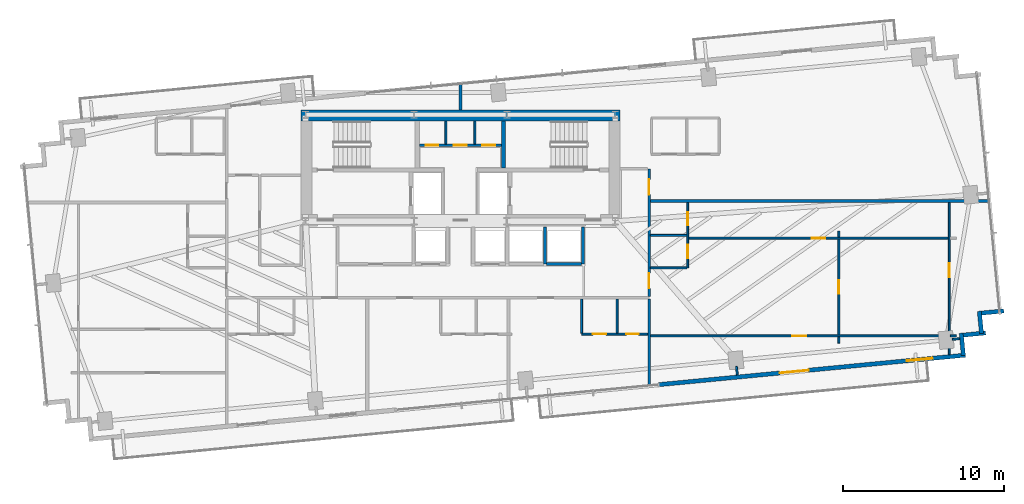
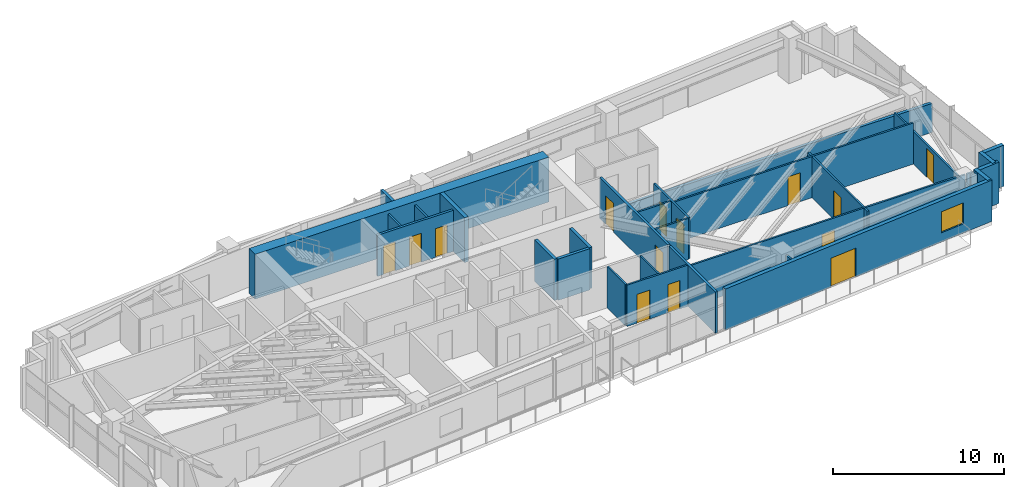
# One storey, part 23 of 27: 32 walls, 14 doors, 1 window, 15 openings.
"""IFC4 building model written with IfcOpenShell, lengths in metres."""

from ifc_helpers import new_model, si_unit, direction, frame, frame_2d, origin, place, context, subcontext, project, spatial, rectangle, extrude, source, transform, mapped, material, layer, layer_set, type_object, type_shapes, element, fill, save


model = new_model("IFC4")

# Units and contexts
model_context = context("Model", 3, precision=1e-05, world=origin(), true_north=direction((0.0, 1.0)))
body_context = subcontext(model_context, "Body", "Model", "MODEL_VIEW")
ifc_project = project(units=[si_unit("LENGTHUNIT", "METRE"), si_unit("AREAUNIT", "SQUARE_METRE"), si_unit("VOLUMEUNIT", "CUBIC_METRE"), si_unit("PLANEANGLEUNIT", "RADIAN"), si_unit("MASSUNIT", "GRAM", prefix="KILO")], contexts=[model_context])

# Site, building, storey
site_placement = place(None, origin())
site = spatial("IfcSite", under=ifc_project, at=site_placement, CompositionType="ELEMENT")
building_placement = place(site_placement, origin())
building = spatial("IfcBuilding", under=site, at=building_placement, Name="Astriad Promenade Condominiums", CompositionType="ELEMENT")
storey_placement = place(building_placement, frame((0.0, 0.0, 109.800048828125)))
storey = spatial("IfcBuildingStorey", under=building, at=storey_placement, Name="L31", CompositionType="ELEMENT", Elevation=109.800048828125)

# Walls
ifc_material_1 = material(Name="Concrete C60/75", Category="concrete")
ifc_layer_1 = layer(ifc_material_1, 0.699951171875)
ifc_layer_set_1 = layer_set([ifc_layer_1], Name="Concrete C60/75")
wall_type_1 = type_object("IfcWallType", Name="CW-SHEAR-700", PredefinedType="SHEAR", material=ifc_layer_set_1)
wall_1_placement = place(storey_placement, frame((26.10009765625, 23.949951171875, 0.0), z_axis=(0.0, 0.0, 1.0), x_axis=(1.0, 0.0, 0.0)))
element("IfcWall", 1, at=wall_1_placement, inside=storey, type_object=wall_type_1, Name="CW-CORE-N-L31", PredefinedType="SHEAR", context=body_context, shape_type="SweptSolid", body=[
    extrude(rectangle(XDim=19.7998046875, YDim=0.699951171875, at=frame_2d((9.89990234375, 0.0))), origin(), (0.0, 0.0, 1.0), 3.199951171875),
])
ifc_material_2 = material(Name="Concrete C50/60", Category="concrete")
ifc_layer_2 = layer(ifc_material_2, 0.25)
ifc_layer_set_2 = layer_set([ifc_layer_2], Name="Concrete C50/60")
wall_type_2 = type_object("IfcWallType", Name="WALL-CORE-INT-250", PredefinedType="SOLIDWALL", material=ifc_layer_set_2)
wall_2_placement = place(storey_placement, frame((38.675048828125, 20.701904296875, 0.0), z_axis=(0.0, 0.0, 1.0), x_axis=(0.0, 1.0, 0.0)))
element("IfcWall", 2, at=wall_2_placement, inside=storey, type_object=wall_type_2, Name="CW-ST2-W-L31", PredefinedType="SOLIDWALL", context=body_context, shape_type="SweptSolid", body=[
    extrude(rectangle(XDim=2.89599609375, YDim=0.25, at=frame_2d((1.447998046875, 0.0))), origin(), (0.0, 0.0, 1.0), 3.199951171875),
])

# Wall, openings, doors
ifc_material_3 = material(Name="Fire-Rated Gypsum Partition")
ifc_layer_3 = layer(ifc_material_3, 0.159912109375)
ifc_layer_set_3 = layer_set([ifc_layer_3], Name="Fire-Rated Gypsum Partition")
wall_type_3 = type_object("IfcWallType", Name="WALL-CORR-160", PredefinedType="PARTITIONING", material=ifc_layer_set_3)
wall_3_placement = place(storey_placement, frame((33.451904296875, 22.10009765625, 0.0), z_axis=(0.0, 0.0, 1.0), x_axis=(1.0, 0.0, 0.0)))
wall_3 = element("IfcWall", 3, at=wall_3_placement, inside=storey, type_object=wall_type_3, Name="CW-AUX-N-L31", PredefinedType="PARTITIONING", context=body_context, shape_type="SweptSolid", body=[
    extrude(rectangle(XDim=5.09619140625, YDim=0.159912109375, at=frame_2d((2.548095703125, 0.0))), origin(), (0.0, 0.0, 1.0), 2.93994140625),
])
opening_1_placement = place(wall_3_placement, frame((0.387939453125, 0.0, 0.0)))
opening_1 = element("IfcOpeningElement", 4, at=opening_1_placement, cuts=wall_3, Name="Opening FD60-SV-080", PredefinedType="OPENING", context=body_context, shape_type="SweptSolid", body=[
    extrude(rectangle(XDim=0.800048828125, YDim=2.050048828125, at=frame_2d((0.39990234375, 1.02490234375))), frame((0.0, 0.08984375, 0.0), z_axis=(0.0, -1.0, 0.0), x_axis=(1.0, 0.0, 0.0)), (0.0, 0.0, 1.0), 0.179931640625),
])
opening_2_placement = place(wall_3_placement, frame((2.14794921875, 0.0, 0.0)))
opening_2 = element("IfcOpeningElement", 5, at=opening_2_placement, cuts=wall_3, Name="Opening FD60-SV-080", PredefinedType="OPENING", context=body_context, shape_type="SweptSolid", body=[
    extrude(rectangle(XDim=0.800048828125, YDim=2.050048828125, at=frame_2d((0.39990234375, 1.02490234375))), frame((0.0, 0.08984375, 0.0), z_axis=(0.0, -1.0, 0.0), x_axis=(1.0, 0.0, 0.0)), (0.0, 0.0, 1.0), 0.179931640625),
])
opening_3_placement = place(wall_3_placement, frame((3.907958984375, 0.0, 0.0)))
opening_3 = element("IfcOpeningElement", 6, at=opening_3_placement, cuts=wall_3, Name="Opening FD60-SV-080", PredefinedType="OPENING", context=body_context, shape_type="SweptSolid", body=[
    extrude(rectangle(XDim=0.800048828125, YDim=2.050048828125, at=frame_2d((0.39990234375, 1.02490234375))), frame((0.0, 0.08984375, 0.0), z_axis=(0.0, -1.0, 0.0), x_axis=(1.0, 0.0, 0.0)), (0.0, 0.0, 1.0), 0.179931640625),
])
ifc_material_4 = material(Name="Fire-Rated Riser Closet Door")
door_type_1 = type_object("IfcDoorType", Name="FD60-SV-080", OperationType="NOTDEFINED", PredefinedType="DOOR", material=ifc_material_4)
shared_shape_1 = source(origin(), body_context, "Body", "SweptSolid", [
    extrude(rectangle(XDim=0.800048828125, YDim=2.050048828125, at=frame_2d((0.39990234375, 1.02490234375))), frame((0.0, 0.02490234375, 0.0), z_axis=(0.0, -1.0, 0.0), x_axis=(1.0, 0.0, 0.0)), (0.0, 0.0, 1.0), 0.050048828125),
])
type_shapes(door_type_1, [shared_shape_1])
door_1_placement = place(opening_1_placement, origin())
door_1 = element("IfcDoor", 7, at=door_1_placement, inside=storey, type_object=door_type_1, Name="D-AUX1-L31", OperationType="SINGLE_SWING_RIGHT", OverallHeight=2.050048828125, OverallWidth=0.800048828125, PredefinedType="DOOR", context=body_context, shape_type="MappedRepresentation", body=[
    mapped(shared_shape_1, transform((0.0, 0.0, 0.0), scale=1.0)),
])
fill(opening_1, door_1)
door_2_placement = place(opening_2_placement, origin())
door_2 = element("IfcDoor", 8, at=door_2_placement, inside=storey, type_object=door_type_1, Name="D-AUX2-L31", OperationType="SINGLE_SWING_LEFT", OverallHeight=2.050048828125, OverallWidth=0.800048828125, PredefinedType="DOOR", context=body_context, shape_type="MappedRepresentation", body=[
    mapped(shared_shape_1, transform((0.0, 0.0, 0.0), scale=1.0)),
])
fill(opening_2, door_2)
door_3_placement = place(opening_3_placement, origin())
door_3 = element("IfcDoor", 9, at=door_3_placement, inside=storey, type_object=door_type_1, Name="D-AUX3-L31", OperationType="SINGLE_SWING_RIGHT", OverallHeight=2.050048828125, OverallWidth=0.800048828125, PredefinedType="DOOR", context=body_context, shape_type="MappedRepresentation", body=[
    mapped(shared_shape_1, transform((0.0, 0.0, 0.0), scale=1.0)),
])
fill(opening_3, door_3)

# Wall
wall_4_placement = place(storey_placement, frame((47.699951171875, 7.152587890625, 0.0), z_axis=(0.0, 0.0, 1.0), x_axis=(0.0, 1.0, 0.0)))
element("IfcWall", 10, at=wall_4_placement, inside=storey, type_object=wall_type_3, Name="PT-COR-E-L31", PredefinedType="PARTITIONING", context=body_context, shape_type="SweptSolid", body=[
    extrude(rectangle(XDim=5.41552734375, YDim=0.159912109375, at=frame_2d((2.707763671875, 0.0))), origin(), (0.0, 0.0, 1.0), 2.93994140625),
])

# Wall, openings, doors
wall_5_placement = place(storey_placement, frame((47.699951171875, 12.73193359375, 0.0), z_axis=(0.0, 0.0, 1.0), x_axis=(0.0, 1.0, 0.0)))
wall_5 = element("IfcWall", 11, at=wall_5_placement, inside=storey, type_object=wall_type_3, Name="PT-COR-E-L31-S2", PredefinedType="PARTITIONING", context=body_context, shape_type="SweptSolid", body=[
    extrude(rectangle(XDim=7.91796875, YDim=0.159912109375, at=frame_2d((3.958984375, 0.0))), origin(), (0.0, 0.0, 1.0), 2.93994140625),
])
opening_4_placement = place(wall_5_placement, frame((0.492919921875, 0.0, 0.0)))
opening_4 = element("IfcOpeningElement", 12, at=opening_4_placement, cuts=wall_5, Name="Opening FD60-APT-095", PredefinedType="OPENING", context=body_context, shape_type="SweptSolid", body=[
    extrude(rectangle(XDim=0.949951171875, YDim=2.06005859375, at=frame_2d((0.47509765625, 1.030029296875))), frame((0.0, 0.08984375, 0.0), z_axis=(0.0, -1.0, 0.0), x_axis=(1.0, 0.0, 0.0)), (0.0, 0.0, 1.0), 0.179931640625),
])
opening_5_placement = place(wall_5_placement, frame((6.31103515625, 0.0, 0.0)))
opening_5 = element("IfcOpeningElement", 13, at=opening_5_placement, cuts=wall_5, Name="Opening FD60-APT-095", PredefinedType="OPENING", context=body_context, shape_type="SweptSolid", body=[
    extrude(rectangle(XDim=0.949951171875, YDim=2.06005859375, at=frame_2d((0.47509765625, 1.030029296875))), frame((0.0, 0.08984375, 0.0), z_axis=(0.0, -1.0, 0.0), x_axis=(1.0, 0.0, 0.0)), (0.0, 0.0, 1.0), 0.179931640625),
])
ifc_material_5 = material(Name="Solid-Core Acoustic Timber Residence Entry Door", Category="wood")
door_type_2 = type_object("IfcDoorType", Name="FD60-APT-095", OperationType="NOTDEFINED", PredefinedType="DOOR", material=ifc_material_5)
shared_shape_2 = source(origin(), body_context, "Body", "SweptSolid", [
    extrude(rectangle(XDim=0.949951171875, YDim=2.06005859375, at=frame_2d((0.47509765625, 1.030029296875))), frame((0.0, 0.02490234375, 0.0), z_axis=(0.0, -1.0, 0.0), x_axis=(1.0, 0.0, 0.0)), (0.0, 0.0, 1.0), 0.050048828125),
])
type_shapes(door_type_2, [shared_shape_2])
door_4_placement = place(opening_4_placement, origin())
door_4 = element("IfcDoor", 14, at=door_4_placement, inside=storey, type_object=door_type_2, Name="D-ENT-L31-E1", OperationType="SINGLE_SWING_RIGHT", OverallHeight=2.06005859375, OverallWidth=0.949951171875, PredefinedType="DOOR", context=body_context, shape_type="MappedRepresentation", body=[
    mapped(shared_shape_2, transform((0.0, 0.0, 0.0), scale=1.0)),
])
fill(opening_4, door_4)
door_5_placement = place(opening_5_placement, origin())
door_5 = element("IfcDoor", 15, at=door_5_placement, inside=storey, type_object=door_type_2, Name="D-ENT-L31-E2", OperationType="SINGLE_SWING_LEFT", OverallHeight=2.06005859375, OverallWidth=0.949951171875, PredefinedType="DOOR", context=body_context, shape_type="MappedRepresentation", body=[
    mapped(shared_shape_2, transform((0.0, 0.0, 0.0), scale=1.0)),
])
fill(opening_5, door_5)

# Walls
ifc_material_6 = material(Name="Acoustic Double-Stud Gypsum Partition")
ifc_layer_4 = layer(ifc_material_6, 0.199951171875)
ifc_layer_set_4 = layer_set([ifc_layer_4], Name="Acoustic Double-Stud Gypsum Partition")
wall_type_4 = type_object("IfcWallType", Name="WALL-DEMISING-200", PredefinedType="PARTITIONING", material=ifc_layer_set_4)
wall_6_placement = place(storey_placement, frame((36.0, 24.302001953125, 0.0), z_axis=(0.0, 0.0, 1.0), x_axis=(0.0, 1.0, 0.0)))
element("IfcWall", 16, at=wall_6_placement, inside=storey, type_object=wall_type_4, Name="PT-NC-MID-L31", PredefinedType="PARTITIONING", context=body_context, shape_type="SweptSolid", body=[
    extrude(rectangle(XDim=1.65576171875, YDim=0.199951171875, at=frame_2d((0.827880859375, 0.0))), origin(), (0.0, 0.0, 1.0), 2.93994140625),
])
wall_7_placement = place(storey_placement, frame((47.781982421875, 18.64990234375, 0.0), z_axis=(0.0, 0.0, 1.0), x_axis=(1.0, 0.0, 0.0)))
element("IfcWall", 17, at=wall_7_placement, inside=storey, type_object=wall_type_4, Name="PT-DEM-EE-L31", PredefinedType="PARTITIONING", context=body_context, shape_type="SweptSolid", body=[
    extrude(rectangle(XDim=21.04931640625, YDim=0.199951171875, at=frame_2d((10.524658203125, 0.0))), origin(), (0.0, 0.0, 1.0), 2.06298828125),
])
ifc_material_7 = material(Name="Precast concrete C50/60", Category="concrete")
ifc_layer_5 = layer(ifc_material_7, 0.260009765625)
ifc_layer_set_5 = layer_set([ifc_layer_5], Name="Precast concrete C50/60")
wall_type_5 = type_object("IfcWallType", Name="WALL-EXT-TWR-260", PredefinedType="STANDARD", material=ifc_layer_set_5)
for number, where, z_axis, x_axis, name in (
    (18, (69.698486328125, 11.83251953125, 0.0), (0.0, 0.0, 1.0), (-0.99540614245, -0.095742423056, 0.0), "W-SER-L31-14"),
    (19, (68.18310546875, 11.817138671875, 0.0), (0.0, 0.0, 1.0), (0.095915846097, -0.995389446633, 0.0), "W-SER-L31-15"),
):
    element("IfcWall", number, at=place(storey_placement, frame(where, z_axis=z_axis, x_axis=x_axis)), inside=storey, type_object=wall_type_5, Name=name, PredefinedType="STANDARD", context=body_context, shape_type="SweptSolid", body=[
        extrude(rectangle(XDim=1.394775390625, YDim=0.260009765625, at=frame_2d((0.697265625, 0.0))), origin(), (0.0, 0.0, 1.0), 2.93994140625),
    ])
wall_8_placement = place(storey_placement, frame((68.57421875, 10.468505859375, 0.0), z_axis=(0.0, 0.0, 1.0), x_axis=(-0.99540774648, -0.095725744959, 0.0)))
element("IfcWall", 20, at=wall_8_placement, inside=storey, type_object=wall_type_5, Name="W-SER-L31-16", PredefinedType="STANDARD", context=body_context, shape_type="SweptSolid", body=[
    extrude(rectangle(XDim=1.39501953125, YDim=0.260009765625, at=frame_2d((0.697509765625, 0.0))), origin(), (0.0, 0.0, 1.0), 2.93994140625),
])
wall_9_placement = place(storey_placement, frame((67.05859375, 10.453125, 0.0), z_axis=(0.0, 0.0, 1.0), x_axis=(0.095915846097, -0.995389446633, 0.0)))
element("IfcWall", 21, at=wall_9_placement, inside=storey, type_object=wall_type_5, Name="W-SER-L31-17", PredefinedType="STANDARD", context=body_context, shape_type="SweptSolid", body=[
    extrude(rectangle(XDim=1.394775390625, YDim=0.260009765625, at=frame_2d((0.697265625, 0.0))), origin(), (0.0, 0.0, 1.0), 2.93994140625),
])

# Wall, openings, door, window
wall_10_placement = place(storey_placement, frame((67.3203125, 9.092041015625, 0.0), z_axis=(0.0, 0.0, 1.0), x_axis=(-0.995396521236, -0.095842399342, 0.0)))
wall_10 = element("IfcWall", 22, at=wall_10_placement, inside=storey, type_object=wall_type_5, Name="W-EXT-L31-S1", PredefinedType="STANDARD", context=body_context, shape_type="SweptSolid", body=[
    extrude(rectangle(XDim=19.10986328125, YDim=0.260009765625, at=frame_2d((9.554931640625, 0.0))), origin(), (0.0, 0.0, 1.0), 2.93994140625),
])
opening_6_placement = place(wall_10_placement, frame((9.77392578125, 0.0, 0.0)))
opening_6 = element("IfcOpeningElement", 23, at=opening_6_placement, cuts=wall_10, Name="Opening BD-1822-SLD", PredefinedType="OPENING", context=body_context, shape_type="SweptSolid", body=[
    extrude(rectangle(XDim=1.800048828125, YDim=2.06005859375, at=frame_2d((0.89990234375, 1.030029296875))), frame((0.0, 0.139892578125, 0.0), z_axis=(0.0, -1.0, 0.0), x_axis=(1.0, 0.0, 0.0)), (0.0, 0.0, 1.0), 0.280029296875),
])
opening_7_placement = place(wall_10_placement, frame((2.050048828125, 0.0, 0.64990234375)))
opening_7 = element("IfcOpeningElement", 24, at=opening_7_placement, cuts=wall_10, Name="Opening WIN-TWR-1620", PredefinedType="OPENING", context=body_context, shape_type="SweptSolid", body=[
    extrude(rectangle(XDim=1.60009765625, YDim=1.5, at=frame_2d((0.800048828125, 0.75))), frame((0.0, 0.139892578125, 0.0), z_axis=(0.0, -1.0, 0.0), x_axis=(1.0, 0.0, 0.0)), (0.0, 0.0, 1.0), 0.280029296875),
])
ifc_material_8 = material(Name="Thermally Broken Aluminium Sliding Balcony Door", Category="aluminium")
door_type_3 = type_object("IfcDoorType", Name="BD-1822-SLD", OperationType="NOTDEFINED", PredefinedType="DOOR", material=ifc_material_8)
shared_shape_3 = source(origin(), body_context, "Body", "SweptSolid", [
    extrude(rectangle(XDim=1.800048828125, YDim=2.06005859375, at=frame_2d((0.89990234375, 1.030029296875))), frame((0.0, 0.02490234375, 0.0), z_axis=(0.0, -1.0, 0.0), x_axis=(1.0, 0.0, 0.0)), (0.0, 0.0, 1.0), 0.050048828125),
])
type_shapes(door_type_3, [shared_shape_3])
door_6_placement = place(opening_6_placement, origin())
door_6 = element("IfcDoor", 25, at=door_6_placement, inside=storey, type_object=door_type_3, Name="BD-L31-SE", OperationType="SLIDING_TO_RIGHT", OverallHeight=2.06005859375, OverallWidth=1.800048828125, PredefinedType="DOOR", context=body_context, shape_type="MappedRepresentation", body=[
    mapped(shared_shape_3, transform((0.0, 0.0, 0.0), scale=1.0)),
])
fill(opening_6, door_6)
ifc_material_9 = material(Name="Dark Tinted Triple-Glazed Aluminium Window", Category="aluminium")
window_type = type_object("IfcWindowType", Name="WIN-TWR-1620", PartitioningType="SINGLE_PANEL", PredefinedType="WINDOW", material=ifc_material_9)
shared_shape_4 = source(origin(), body_context, "Body", "SweptSolid", [
    extrude(rectangle(XDim=1.60009765625, YDim=1.5, at=frame_2d((0.800048828125, 0.75))), frame((0.0, 0.030029296875, 0.0), z_axis=(0.0, -1.0, 0.0), x_axis=(1.0, 0.0, 0.0)), (0.0, 0.0, 1.0), 0.06005859375),
])
type_shapes(window_type, [shared_shape_4])
window_placement = place(opening_7_placement, origin())
window = element("IfcWindow", 26, at=window_placement, inside=storey, type_object=window_type, Name="WIN-L31-SE", OverallHeight=1.5, OverallWidth=1.60009765625, PartitioningType="SINGLE_PANEL", PredefinedType="WINDOW", context=body_context, shape_type="MappedRepresentation", body=[
    mapped(shared_shape_4, transform((0.0, 0.0, 0.0), scale=1.0)),
])
fill(opening_7, window)

# Walls
ifc_material_10 = material(Name="Acoustic Metal-Stud Gypsum Partition")
ifc_layer_6 = layer(ifc_material_10, 0.1201171875)
ifc_layer_set_6 = layer_set([ifc_layer_6], Name="Acoustic Metal-Stud Gypsum Partition")
wall_type_6 = type_object("IfcWallType", Name="WALL-PART-120", PredefinedType="PARTITIONING", material=ifc_layer_set_6)
for number, where, z_axis, x_axis, name in (
    (27, (35.10009765625, 22.181884765625, 0.0), (0.0, 0.0, 1.0), (0.0, 1.0, 0.0), "CW-AUX-V1-L31"),
    (28, (36.89990234375, 22.181884765625, 0.0), (0.0, 0.0, 1.0), (0.0, 1.0, 0.0), "CW-AUX-V2-L31"),
):
    element("IfcWall", number, at=place(storey_placement, frame(where, z_axis=z_axis, x_axis=x_axis)), inside=storey, type_object=wall_type_6, Name=name, PredefinedType="PARTITIONING", context=body_context, shape_type="SweptSolid", body=[
        extrude(rectangle(XDim=1.416015625, YDim=0.1201171875, at=frame_2d((0.7080078125, 0.0))), origin(), (0.0, 0.0, 1.0), 2.93994140625),
    ])

# Wall, openings, doors
wall_11_placement = place(storey_placement, frame((43.52001953125, 10.39990234375, 0.0), z_axis=(0.0, 0.0, 1.0), x_axis=(1.0, 0.0, 0.0)))
wall_11 = element("IfcWall", 29, at=wall_11_placement, inside=storey, type_object=wall_type_6, Name="PT-L31-S3-PS", PredefinedType="PARTITIONING", context=body_context, shape_type="SweptSolid", body=[
    extrude(rectangle(XDim=4.097900390625, YDim=0.1201171875, at=frame_2d((2.048828125, 0.0))), origin(), (0.0, 0.0, 1.0), 2.93994140625),
])
opening_8_placement = place(wall_11_placement, frame((0.675048828125, 0.0, 0.0)))
opening_8 = element("IfcOpeningElement", 30, at=opening_8_placement, cuts=wall_11, Name="Opening D-INT-085", PredefinedType="OPENING", context=body_context, shape_type="SweptSolid", body=[
    extrude(rectangle(XDim=0.85009765625, YDim=2.050048828125, at=frame_2d((0.425048828125, 1.02490234375))), frame((0.0, 0.070068359375, 0.0), z_axis=(0.0, -1.0, 0.0), x_axis=(1.0, 0.0, 0.0)), (0.0, 0.0, 1.0), 0.14013671875),
])
opening_9_placement = place(wall_11_placement, frame((2.75, 0.0, 0.0)))
opening_9 = element("IfcOpeningElement", 31, at=opening_9_placement, cuts=wall_11, Name="Opening D-WET-080", PredefinedType="OPENING", context=body_context, shape_type="SweptSolid", body=[
    extrude(rectangle(XDim=0.800048828125, YDim=2.02001953125, at=frame_2d((0.39990234375, 1.010009765625))), frame((0.0, 0.070068359375, 0.0), z_axis=(0.0, -1.0, 0.0), x_axis=(1.0, 0.0, 0.0)), (0.0, 0.0, 1.0), 0.14013671875),
])
ifc_material_11 = material(Name="Moisture-Resistant Timber Bathroom Door", Category="wood")
door_type_4 = type_object("IfcDoorType", Name="D-WET-080", OperationType="NOTDEFINED", PredefinedType="DOOR", material=ifc_material_11)
shared_shape_5 = source(origin(), body_context, "Body", "SweptSolid", [
    extrude(rectangle(XDim=0.800048828125, YDim=2.02001953125, at=frame_2d((0.39990234375, 1.010009765625))), frame((0.0, 0.02490234375, 0.0), z_axis=(0.0, -1.0, 0.0), x_axis=(1.0, 0.0, 0.0)), (0.0, 0.0, 1.0), 0.050048828125),
])
type_shapes(door_type_4, [shared_shape_5])
door_7_placement = place(opening_9_placement, origin())
door_7 = element("IfcDoor", 32, at=door_7_placement, inside=storey, type_object=door_type_4, Name="D-BTH-L31-S3", OperationType="SINGLE_SWING_RIGHT", OverallHeight=2.02001953125, OverallWidth=0.800048828125, PredefinedType="DOOR", context=body_context, shape_type="MappedRepresentation", body=[
    mapped(shared_shape_5, transform((0.0, 0.0, 0.0), scale=1.0)),
])
fill(opening_9, door_7)
ifc_material_12 = material(Name="Painted Solid-Core Timber Room Door", Category="wood")
door_type_5 = type_object("IfcDoorType", Name="D-INT-085", OperationType="NOTDEFINED", PredefinedType="DOOR", material=ifc_material_12)
shared_shape_6 = source(origin(), body_context, "Body", "SweptSolid", [
    extrude(rectangle(XDim=0.85009765625, YDim=2.050048828125, at=frame_2d((0.425048828125, 1.02490234375))), frame((0.0, 0.02490234375, 0.0), z_axis=(0.0, -1.0, 0.0), x_axis=(1.0, 0.0, 0.0)), (0.0, 0.0, 1.0), 0.050048828125),
])
type_shapes(door_type_5, [shared_shape_6])
door_8_placement = place(opening_8_placement, origin())
door_8 = element("IfcDoor", 33, at=door_8_placement, inside=storey, type_object=door_type_5, Name="D-KIT-L31-S3", OperationType="SINGLE_SWING_LEFT", OverallHeight=2.050048828125, OverallWidth=0.85009765625, PredefinedType="DOOR", context=body_context, shape_type="MappedRepresentation", body=[
    mapped(shared_shape_6, transform((0.0, 0.0, 0.0), scale=1.0)),
])
fill(opening_8, door_8)

# Walls
for number, where, z_axis, x_axis, name in (
    (34, (43.52001953125, 10.4619140625, 0.0), (0.0, 0.0, 1.0), (0.0, 1.0, 0.0), "PT-L31-S3-PK"),
    (35, (45.719970703125, 10.4619140625, 0.0), (0.0, 0.0, 1.0), (0.0, 1.0, 0.0), "PT-L31-S3-PB"),
):
    element("IfcWall", number, at=place(storey_placement, frame(where, z_axis=z_axis, x_axis=x_axis)), inside=storey, type_object=wall_type_6, Name=name, PredefinedType="PARTITIONING", context=body_context, shape_type="SweptSolid", body=[
        extrude(rectangle(XDim=2.106201171875, YDim=0.1201171875, at=frame_2d((1.05322265625, 0.0))), origin(), (0.0, 0.0, 1.0), 2.93994140625),
    ])

# Wall, openings, doors
wall_12_placement = place(storey_placement, frame((50.10009765625, 14.5, 0.0), z_axis=(0.0, 0.0, 1.0), x_axis=(0.0, 1.0, 0.0)))
wall_12 = element("IfcWall", 36, at=wall_12_placement, inside=storey, type_object=wall_type_6, Name="PT-L31-E1-PV", PredefinedType="PARTITIONING", context=body_context, shape_type="SweptSolid", body=[
    extrude(rectangle(XDim=4.048095703125, YDim=0.1201171875, at=frame_2d((2.02392578125, 0.0))), origin(), (0.0, 0.0, 1.0), 2.93994140625),
])
opening_10_placement = place(wall_12_placement, frame((0.5869140625, 0.0, 0.0)))
opening_10 = element("IfcOpeningElement", 37, at=opening_10_placement, cuts=wall_12, Name="Opening D-INT-085", PredefinedType="OPENING", context=body_context, shape_type="SweptSolid", body=[
    extrude(rectangle(XDim=0.85009765625, YDim=2.050048828125, at=frame_2d((0.425048828125, 1.02490234375))), frame((0.0, 0.070068359375, 0.0), z_axis=(0.0, -1.0, 0.0), x_axis=(1.0, 0.0, 0.0)), (0.0, 0.0, 1.0), 0.14013671875),
])
opening_11_placement = place(wall_12_placement, frame((2.637939453125, 0.0, 0.0)))
opening_11 = element("IfcOpeningElement", 38, at=opening_11_placement, cuts=wall_12, Name="Opening D-WET-080", PredefinedType="OPENING", context=body_context, shape_type="SweptSolid", body=[
    extrude(rectangle(XDim=0.800048828125, YDim=2.02001953125, at=frame_2d((0.39990234375, 1.010009765625))), frame((0.0, 0.070068359375, 0.0), z_axis=(0.0, -1.0, 0.0), x_axis=(1.0, 0.0, 0.0)), (0.0, 0.0, 1.0), 0.14013671875),
])
door_9_placement = place(opening_11_placement, origin())
door_9 = element("IfcDoor", 39, at=door_9_placement, inside=storey, type_object=door_type_4, Name="D-BTH-L31-E1", OperationType="SINGLE_SWING_RIGHT", OverallHeight=2.02001953125, OverallWidth=0.800048828125, PredefinedType="DOOR", context=body_context, shape_type="MappedRepresentation", body=[
    mapped(shared_shape_5, transform((0.0, 0.0, 0.0), scale=1.0)),
])
fill(opening_11, door_9)
door_10_placement = place(opening_10_placement, origin())
door_10 = element("IfcDoor", 40, at=door_10_placement, inside=storey, type_object=door_type_5, Name="D-KIT-L31-E1", OperationType="SINGLE_SWING_LEFT", OverallHeight=2.050048828125, OverallWidth=0.85009765625, PredefinedType="DOOR", context=body_context, shape_type="MappedRepresentation", body=[
    mapped(shared_shape_6, transform((0.0, 0.0, 0.0), scale=1.0)),
])
fill(opening_10, door_10)

# Walls
for number, where, z_axis, x_axis, name in (
    (41, (47.781982421875, 16.52490234375, 0.0), (0.0, 0.0, 1.0), (1.0, 0.0, 0.0), "PT-L31-E1-PM"),
    (42, (47.781982421875, 14.5, 0.0), (0.0, 0.0, 1.0), (1.0, 0.0, 0.0), "PT-L31-E1-PS"),
):
    element("IfcWall", number, at=place(storey_placement, frame(where, z_axis=z_axis, x_axis=x_axis)), inside=storey, type_object=wall_type_6, Name=name, PredefinedType="PARTITIONING", context=body_context, shape_type="SweptSolid", body=[
        extrude(rectangle(XDim=2.256103515625, YDim=0.1201171875, at=frame_2d((1.1279296875, 0.0))), origin(), (0.0, 0.0, 1.0), 2.93994140625),
    ])

# Wall, opening, door
wall_13_placement = place(storey_placement, frame((66.31591796875, 9.1279296875, 0.0), z_axis=(0.0, 0.0, 1.0), x_axis=(0.0, 1.0, 0.0)))
wall_13 = element("IfcWall", 43, at=wall_13_placement, inside=storey, type_object=wall_type_6, Name="PT-L31-E1-B1", PredefinedType="PARTITIONING", context=body_context, shape_type="SweptSolid", body=[
    extrude(rectangle(XDim=9.420166015625, YDim=0.1201171875, at=frame_2d((4.7099609375, 0.0))), origin(), (0.0, 0.0, 1.0), 2.309814453125),
])
opening_12_placement = place(wall_13_placement, frame((4.798095703125, 0.0, 0.0)))
opening_12 = element("IfcOpeningElement", 44, at=opening_12_placement, cuts=wall_13, Name="Opening D-INT-085", PredefinedType="OPENING", context=body_context, shape_type="SweptSolid", body=[
    extrude(rectangle(XDim=0.85009765625, YDim=2.050048828125, at=frame_2d((0.425048828125, 1.02490234375))), frame((0.0, 0.070068359375, 0.0), z_axis=(0.0, -1.0, 0.0), x_axis=(1.0, 0.0, 0.0)), (0.0, 0.0, 1.0), 0.14013671875),
])
door_11_placement = place(opening_12_placement, origin())
door_11 = element("IfcDoor", 45, at=door_11_placement, inside=storey, type_object=door_type_5, Name="D-BD1-L31-E1", OperationType="SINGLE_SWING_LEFT", OverallHeight=2.050048828125, OverallWidth=0.85009765625, PredefinedType="DOOR", context=body_context, shape_type="MappedRepresentation", body=[
    mapped(shared_shape_6, transform((0.0, 0.0, 0.0), scale=1.0)),
])
fill(opening_12, door_11)

wall_14_placement = place(storey_placement, frame((47.781982421875, 10.281005859375, 0.0), z_axis=(0.0, 0.0, 1.0), x_axis=(1.0, 0.0, 0.0)))
wall_14 = element("IfcWall", 46, at=wall_14_placement, inside=storey, type_object=wall_type_6, Name="PT-L31-E1-WDS1", PredefinedType="PARTITIONING", context=body_context, shape_type="SweptSolid", body=[
    extrude(rectangle(XDim=18.471923828125, YDim=0.1201171875, at=frame_2d((9.23583984375, 0.0))), origin(), (0.0, 0.0, 1.0), 2.93994140625),
])
opening_13_placement = place(wall_14_placement, frame((8.81103515625, 0.0, 0.0)))
opening_13 = element("IfcOpeningElement", 47, at=opening_13_placement, cuts=wall_14, Name="Opening D-INT-085", PredefinedType="OPENING", context=body_context, shape_type="SweptSolid", body=[
    extrude(rectangle(XDim=0.85009765625, YDim=2.050048828125, at=frame_2d((0.425048828125, 1.02490234375))), frame((0.0, 0.070068359375, 0.0), z_axis=(0.0, -1.0, 0.0), x_axis=(1.0, 0.0, 0.0)), (0.0, 0.0, 1.0), 0.14013671875),
])
door_12_placement = place(opening_13_placement, origin())
door_12 = element("IfcDoor", 48, at=door_12_placement, inside=storey, type_object=door_type_5, Name="D-WDS1-L31-E1", OperationType="SINGLE_SWING_RIGHT", OverallHeight=2.050048828125, OverallWidth=0.85009765625, PredefinedType="DOOR", context=body_context, shape_type="MappedRepresentation", body=[
    mapped(shared_shape_6, transform((0.0, 0.0, 0.0), scale=1.0)),
])
fill(opening_13, door_12)

# Wall
wall_15_placement = place(storey_placement, frame((66.3779296875, 10.281005859375, 0.0), z_axis=(0.0, 0.0, 1.0), x_axis=(1.0, 0.0, 0.0)))
element("IfcWall", 49, at=wall_15_placement, inside=storey, type_object=wall_type_6, Name="PT-L31-E1-WDS1-S2", PredefinedType="PARTITIONING", context=body_context, shape_type="SweptSolid", body=[
    extrude(rectangle(XDim=0.378173828125, YDim=0.1201171875, at=frame_2d((0.18896484375, 0.0))), origin(), (0.0, 0.0, 1.0), 2.93994140625),
])

# Wall, opening, door
wall_16_placement = place(storey_placement, frame((50.162109375, 16.35009765625, 0.0), z_axis=(0.0, 0.0, 1.0), x_axis=(1.0, 0.0, 0.0)))
wall_16 = element("IfcWall", 50, at=wall_16_placement, inside=storey, type_object=wall_type_6, Name="PT-L31-E1-WDN2", PredefinedType="PARTITIONING", context=body_context, shape_type="SweptSolid", body=[
    extrude(rectangle(XDim=16.091796875, YDim=0.1201171875, at=frame_2d((8.0458984375, 0.0))), origin(), (0.0, 0.0, 1.0), 2.93994140625),
])
opening_14_placement = place(wall_16_placement, frame((7.62109375, 0.0, 0.0)))
opening_14 = element("IfcOpeningElement", 51, at=opening_14_placement, cuts=wall_16, Name="Opening D-INT-085", PredefinedType="OPENING", context=body_context, shape_type="SweptSolid", body=[
    extrude(rectangle(XDim=0.85009765625, YDim=2.050048828125, at=frame_2d((0.425048828125, 1.02490234375))), frame((0.0, 0.070068359375, 0.0), z_axis=(0.0, -1.0, 0.0), x_axis=(1.0, 0.0, 0.0)), (0.0, 0.0, 1.0), 0.14013671875),
])
door_13_placement = place(opening_14_placement, origin())
door_13 = element("IfcDoor", 52, at=door_13_placement, inside=storey, type_object=door_type_5, Name="D-WDN2-L31-E1", OperationType="SINGLE_SWING_LEFT", OverallHeight=2.050048828125, OverallWidth=0.85009765625, PredefinedType="DOOR", context=body_context, shape_type="MappedRepresentation", body=[
    mapped(shared_shape_6, transform((0.0, 0.0, 0.0), scale=1.0)),
])
fill(opening_14, door_13)

# Wall
wall_17_placement = place(storey_placement, frame((59.469970703125, 9.841064453125, 0.0), z_axis=(0.0, 0.0, 1.0), x_axis=(0.0, 1.0, 0.0)))
element("IfcWall", 53, at=wall_17_placement, inside=storey, type_object=wall_type_6, Name="PT-L31-E1-WDV3", PredefinedType="PARTITIONING", context=body_context, shape_type="SweptSolid", body=[
    extrude(rectangle(XDim=0.3779296875, YDim=0.1201171875, at=frame_2d((0.18896484375, 0.0))), origin(), (0.0, 0.0, 1.0), 2.93994140625),
])

# Wall, opening, door
wall_18_placement = place(storey_placement, frame((59.469970703125, 10.343017578125, 0.0), z_axis=(0.0, 0.0, 1.0), x_axis=(0.0, 1.0, 0.0)))
wall_18 = element("IfcWall", 54, at=wall_18_placement, inside=storey, type_object=wall_type_6, Name="PT-L31-E1-WDV3-S2", PredefinedType="PARTITIONING", context=body_context, shape_type="SweptSolid", body=[
    extrude(rectangle(XDim=5.945068359375, YDim=0.1201171875, at=frame_2d((2.97265625, 0.0))), origin(), (0.0, 0.0, 1.0), 2.93994140625),
])
opening_15_placement = place(wall_18_placement, frame((2.548095703125, 0.0, 0.0)))
opening_15 = element("IfcOpeningElement", 55, at=opening_15_placement, cuts=wall_18, Name="Opening D-INT-085", PredefinedType="OPENING", context=body_context, shape_type="SweptSolid", body=[
    extrude(rectangle(XDim=0.85009765625, YDim=2.050048828125, at=frame_2d((0.425048828125, 1.02490234375))), frame((0.0, 0.070068359375, 0.0), z_axis=(0.0, -1.0, 0.0), x_axis=(1.0, 0.0, 0.0)), (0.0, 0.0, 1.0), 0.14013671875),
])
door_14_placement = place(opening_15_placement, origin())
door_14 = element("IfcDoor", 56, at=door_14_placement, inside=storey, type_object=door_type_5, Name="D-WDV3-L31-E1", OperationType="SINGLE_SWING_RIGHT", OverallHeight=2.050048828125, OverallWidth=0.85009765625, PredefinedType="DOOR", context=body_context, shape_type="MappedRepresentation", body=[
    mapped(shared_shape_6, transform((0.0, 0.0, 0.0), scale=1.0)),
])
fill(opening_15, door_14)

# Walls
wall_19_placement = place(storey_placement, frame((59.469970703125, 16.412109375, 0.0), z_axis=(0.0, 0.0, 1.0), x_axis=(0.0, 1.0, 0.0)))
element("IfcWall", 57, at=wall_19_placement, inside=storey, type_object=wall_type_6, Name="PT-L31-E1-WDV3-S3", PredefinedType="PARTITIONING", context=body_context, shape_type="SweptSolid", body=[
    extrude(rectangle(XDim=0.3779296875, YDim=0.1201171875, at=frame_2d((0.18896484375, 0.0))), origin(), (0.0, 0.0, 1.0), 2.93994140625),
])
wall_20_placement = place(storey_placement, frame((53.121337890625, 8.39794921875, 0.0), z_axis=(0.0, 0.0, 1.0), x_axis=(0.096179204763, -0.995364034196, 0.0)))
element("IfcWall", 58, at=wall_20_placement, inside=storey, type_object=wall_type_6, Name="PT-PIL-L31-PC04-11", PredefinedType="PARTITIONING", context=body_context, shape_type="SweptSolid", body=[
    extrude(rectangle(XDim=0.5380859375, YDim=0.1201171875, at=frame_2d((0.26904296875, 0.0))), origin(), (0.0, 0.0, 1.0), 2.93994140625),
])
wall_21_placement = place(storey_placement, frame((66.5029296875, 10.068115234375, 0.0), z_axis=(0.0, 0.0, 1.0), x_axis=(0.995389482415, 0.095915474751, 0.0)))
element("IfcWall", 59, at=wall_21_placement, inside=storey, type_object=wall_type_6, Name="PT-PIL-L31-PC05-12", PredefinedType="PARTITIONING", context=body_context, shape_type="SweptSolid", body=[
    extrude(rectangle(XDim=0.458251953125, YDim=0.1201171875, at=frame_2d((0.22900390625, 0.0))), origin(), (0.0, 0.0, 1.0), 2.93994140625),
])
ifc_material_13 = material(Name="Gypsum Shaftliner Assembly")
ifc_layer_7 = layer(ifc_material_13, 0.199951171875)
ifc_layer_set_7 = layer_set([ifc_layer_7], Name="Gypsum Shaftliner Assembly")
wall_type_7 = type_object("IfcWallType", Name="WALL-SHAFT-200", PredefinedType="PARTITIONING", material=ifc_layer_set_7)
for number, where, z_axis, x_axis, name in (
    (60, (41.25, 14.75, 0.0), (0.0, 0.0, 1.0), (0.0, 1.0, 0.0), "PL-H-DIV-L31"),
    (61, (43.60009765625, 14.75, 0.0), (0.0, 0.0, 1.0), (0.0, 1.0, 0.0), "PL-E-OUT-L31"),
):
    element("IfcWall", number, at=place(storey_placement, frame(where, z_axis=z_axis, x_axis=x_axis)), inside=storey, type_object=wall_type_7, Name=name, PredefinedType="PARTITIONING", context=body_context, shape_type="SweptSolid", body=[
        extrude(rectangle(XDim=2.300048828125, YDim=0.199951171875, at=frame_2d((1.14990234375, 0.0))), origin(), (0.0, 0.0, 1.0), 2.93994140625),
    ])
wall_22_placement = place(storey_placement, frame((41.35205078125, 14.75, 0.0), z_axis=(0.0, 0.0, 1.0), x_axis=(1.0, 0.0, 0.0)))
element("IfcWall", 62, at=wall_22_placement, inside=storey, type_object=wall_type_7, Name="PL-H-FRT-L31-S2", PredefinedType="PARTITIONING", context=body_context, shape_type="SweptSolid", body=[
    extrude(rectangle(XDim=2.14599609375, YDim=0.199951171875, at=frame_2d((1.072998046875, 0.0))), origin(), (0.0, 0.0, 1.0), 2.93994140625),
])

save(model, "model.ifc")
